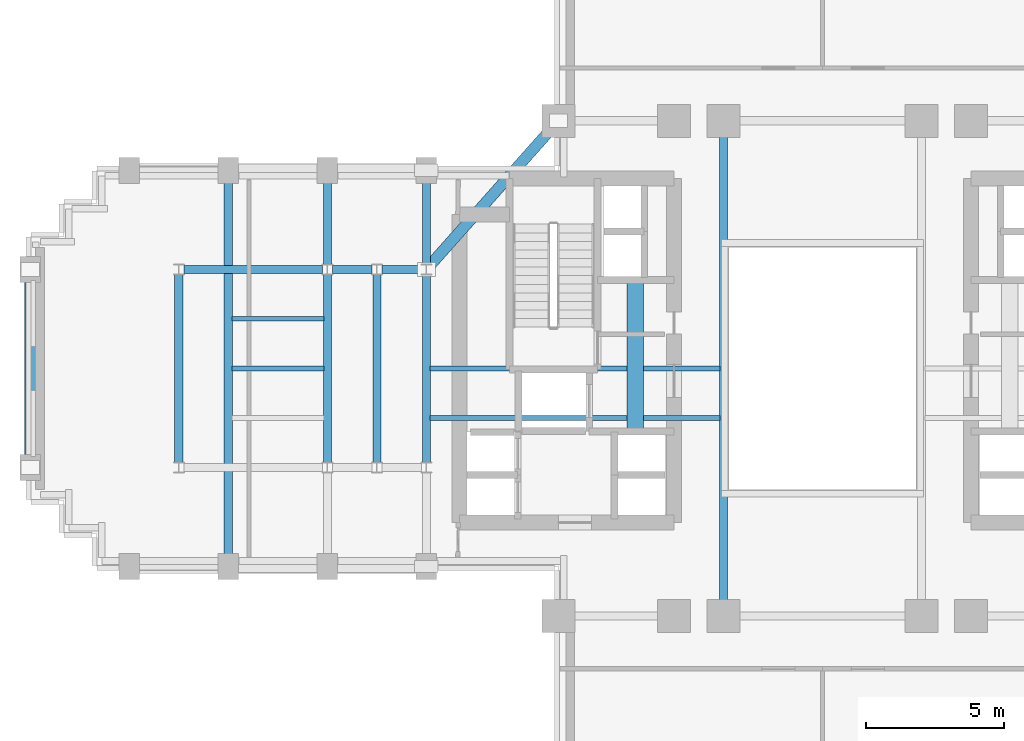
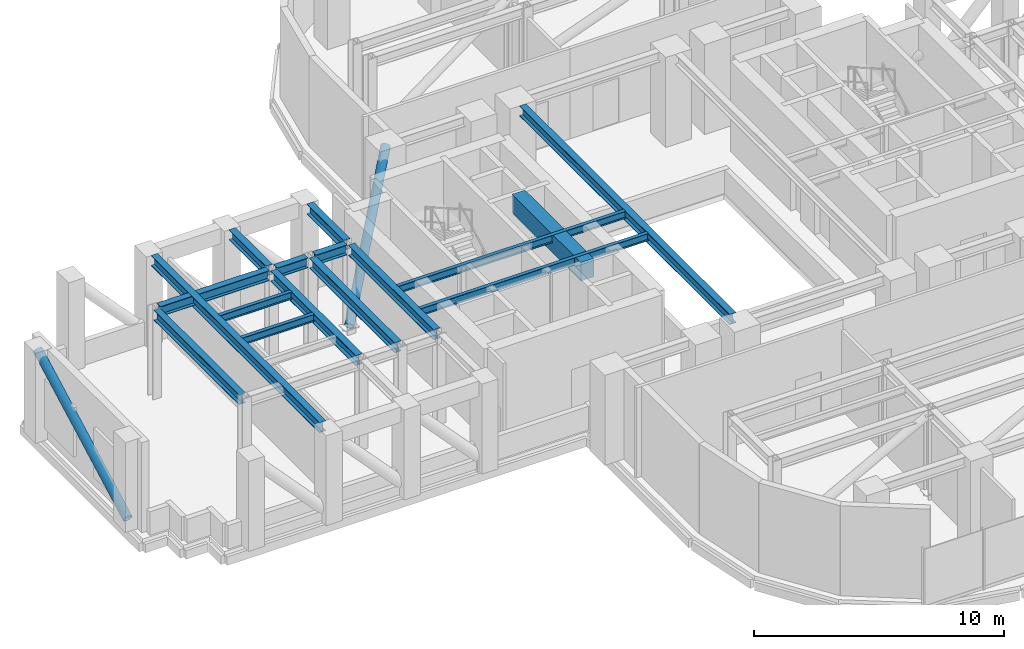
# One storey, part 4 of 15: 16 beams, 2 members.
"""IFC4 building model written with IfcOpenShell, lengths in metres."""

from ifc_helpers import new_model, si_unit, direction, frame, origin, origin_2d, place, context, subcontext, project, spatial, rectangle, hollow_circle, i_section, extrude, source, transform, mapped, material, material_profile, profile_set, type_object, element, save


model = new_model("IFC4")

# Units and contexts
model_context = context("Model", 3, precision=1e-05, world=origin(), true_north=direction((0.0, 1.0)))
body_context = subcontext(model_context, "Body", "Model", "MODEL_VIEW")
ifc_project = project(units=[si_unit("LENGTHUNIT", "METRE"), si_unit("AREAUNIT", "SQUARE_METRE"), si_unit("VOLUMEUNIT", "CUBIC_METRE"), si_unit("PLANEANGLEUNIT", "RADIAN"), si_unit("MASSUNIT", "GRAM", prefix="KILO")], contexts=[model_context])

# Site, building, storey
site_placement = place(None, origin())
site = spatial("IfcSite", under=ifc_project, at=site_placement, CompositionType="ELEMENT")
building_placement = place(site_placement, origin())
building = spatial("IfcBuilding", under=site, at=building_placement, Name="Keilestroom Media Tower", CompositionType="ELEMENT")
storey_placement = place(building_placement, frame((0.0, 0.0, 88.39990234375)))
storey = spatial("IfcBuildingStorey", under=building, at=storey_placement, Name="L23", CompositionType="ELEMENT", Elevation=88.39990234375)

# Beams
ifc_material_1 = material(Name="Concrete C70/85", Category="concrete")
ifc_material_profile_1 = material_profile(ifc_material_1, rectangle(XDim=0.60009765625, YDim=0.89990234375, at=origin_2d()), Name="RC 600x900")
ifc_profile_set_1 = profile_set([ifc_material_profile_1], Name="Concrete C70/85")
beam_type_1 = type_object("IfcBeamType", Name="Core-Coupling-Lintel-Beam-RC-600x900", PredefinedType="LINTEL", material=ifc_profile_set_1)
shared_shape_1 = source(origin(), body_context, "Body", "SweptSolid", [
    extrude(rectangle(XDim=0.60009765625, YDim=0.89990234375, at=origin_2d()), origin(), (0.0, 0.0, 1.0), 5.52001953125),
])
beam_1_placement = place(storey_placement, frame((-6.800048828125, -2.300048828125, 3.9501953125), z_axis=(0.0, 1.0, 0.0), x_axis=(-1.0, 0.0, 0.0)))
element("IfcBeam", 1, at=beam_1_placement, inside=storey, type_object=beam_type_1, Name="L23 Beam CLB-1 CLB-L23-W", PredefinedType="LINTEL", context=body_context, shape_type="MappedRepresentation", body=[
    mapped(shared_shape_1, transform((0.0, 0.0, 0.0), x_axis=(1.0, 0.0, 0.0), y_axis=(0.0, 1.0, 0.0), z_axis=(0.0, 0.0, 1.0), scale=1.0)),
])
ifc_material_2 = material(Name="Steel S355", Category="steel")
ifc_material_profile_2 = material_profile(ifc_material_2, i_section(OverallWidth=0.300048828125, OverallDepth=0.5, WebThickness=0.012451171875, FlangeThickness=0.028076171875, at=origin_2d()), Name="HEB 500")
ifc_profile_set_2 = profile_set([ifc_material_profile_2], Name="Steel S355")
beam_type_2 = type_object("IfcBeamType", Name="Primary-Structural-Girder-HEB-500", PredefinedType="BEAM", material=ifc_profile_set_2)
shared_shape_2 = source(origin(), body_context, "Body", "SweptSolid", [
    extrude(i_section(OverallWidth=0.300048828125, OverallDepth=0.5, WebThickness=0.012451171875, FlangeThickness=0.028076171875, at=origin_2d()), origin(), (0.0, 0.0, 1.0), 13.490234375),
])
beam_2_placement = place(storey_placement, frame((-21.60009765625, -6.7451171875, 4.150146484375), z_axis=(0.0, 1.0, 0.0), x_axis=(-1.0, 0.0, 0.0)))
element("IfcBeam", 2, at=beam_2_placement, inside=storey, type_object=beam_type_2, Name="L23 Beam BG-6 BM-L23-NS-044", PredefinedType="BEAM", context=body_context, shape_type="MappedRepresentation", body=[
    mapped(shared_shape_2, transform((0.0, 0.0, 0.0), x_axis=(1.0, 0.0, 0.0), y_axis=(0.0, 1.0, 0.0), z_axis=(0.0, 0.0, 1.0), scale=1.0)),
])
shared_shape_3 = source(origin(), body_context, "Body", "SweptSolid", [
    extrude(i_section(OverallWidth=0.300048828125, OverallDepth=0.5, WebThickness=0.012451171875, FlangeThickness=0.028076171875, at=origin_2d()), origin(), (0.0, 0.0, 1.0), 6.8330078125),
])
for number, where, z_axis, x_axis, name in (
    (3, (-23.39990234375, -3.41650390625, 4.130126953125), (0.0, 1.0, 0.0), (-1.0, 0.0, 0.0), "L23 Beam BG-6 BM-L23-NS-043"),
    (4, (-18.0, -3.41650390625, 4.150146484375), (0.0, 1.0, 0.0), (-1.0, 0.0, 0.0), "L23 Beam BG-6 BM-L23-NS-046"),
    (5, (-16.199951171875, -3.41650390625, 4.150146484375), (0.0, 1.0, 0.0), (-1.0, 0.0, 0.0), "L23 Beam BG-6 BM-L23-NS-048"),
    (6, (-14.39990234375, -3.41650390625, 4.150146484375), (0.0, 1.0, 0.0), (-1.0, 0.0, 0.0), "L23 Beam BG-6 BM-L23-NS-050"),
):
    element("IfcBeam", number, at=place(storey_placement, frame(where, z_axis=z_axis, x_axis=x_axis)), inside=storey, type_object=beam_type_2, Name=name, PredefinedType="BEAM", context=body_context, shape_type="MappedRepresentation", body=[
        mapped(shared_shape_3, transform((0.0, 0.0, 0.0), x_axis=(1.0, 0.0, 0.0), y_axis=(0.0, 1.0, 0.0), z_axis=(0.0, 0.0, 1.0), scale=1.0)),
    ])
shared_shape_4 = source(origin(), body_context, "Body", "SweptSolid", [
    extrude(i_section(OverallWidth=0.300048828125, OverallDepth=0.5, WebThickness=0.012451171875, FlangeThickness=0.028076171875, at=origin_2d()), origin(), (0.0, 0.0, 1.0), 2.961669921875),
])
for number, where, z_axis, x_axis, name in (
    (7, (-18.0, 3.783447265625, 4.150146484375), (0.0, 1.0, 0.0), (-1.0, 0.0, 0.0), "L23 Beam BG-6 BM-L23-NS-047"),
    (8, (-14.39990234375, 3.783447265625, 4.150146484375), (0.0, 1.0, 0.0), (-1.0, 0.0, 0.0), "L23 Beam BG-6 BM-L23-NS-051"),
):
    element("IfcBeam", number, at=place(storey_placement, frame(where, z_axis=z_axis, x_axis=x_axis)), inside=storey, type_object=beam_type_2, Name=name, PredefinedType="BEAM", context=body_context, shape_type="MappedRepresentation", body=[
        mapped(shared_shape_4, transform((0.0, 0.0, 0.0), x_axis=(1.0, 0.0, 0.0), y_axis=(0.0, 1.0, 0.0), z_axis=(0.0, 0.0, 1.0), scale=1.0)),
    ])
shared_shape_5 = source(origin(), body_context, "Body", "SweptSolid", [
    extrude(i_section(OverallWidth=0.300048828125, OverallDepth=0.5, WebThickness=0.012451171875, FlangeThickness=0.028076171875, at=origin_2d()), origin(), (0.0, 0.0, 1.0), 16.83984375),
])
beam_3_placement = place(storey_placement, frame((-3.60009765625, -8.419921875, 4.150146484375), z_axis=(0.0, 1.0, 0.0), x_axis=(-1.0, 0.0, 0.0)))
element("IfcBeam", 9, at=beam_3_placement, inside=storey, type_object=beam_type_2, Name="L23 Beam BG-6 BM-L23-NS-056", PredefinedType="BEAM", context=body_context, shape_type="MappedRepresentation", body=[
    mapped(shared_shape_5, transform((0.0, 0.0, 0.0), x_axis=(1.0, 0.0, 0.0), y_axis=(0.0, 1.0, 0.0), z_axis=(0.0, 0.0, 1.0), scale=1.0)),
])
ifc_material_profile_3 = material_profile(ifc_material_2, i_section(OverallWidth=0.300048828125, OverallDepth=0.489990234375, WebThickness=0.011962890625, FlangeThickness=0.02294921875, at=origin_2d()), Name="HEA 500")
ifc_profile_set_3 = profile_set([ifc_material_profile_3], Name="Steel S355")
beam_type_3 = type_object("IfcBeamType", Name="Primary-Structural-Girder-HEA-500", PredefinedType="BEAM", material=ifc_profile_set_3)
shared_shape_6 = source(origin(), body_context, "Body", "SweptSolid", [
    extrude(i_section(OverallWidth=0.300048828125, OverallDepth=0.489990234375, WebThickness=0.011962890625, FlangeThickness=0.02294921875, at=origin_2d()), origin(), (0.0, 0.0, 1.0), 5.0361328125),
])
beam_4_placement = place(storey_placement, frame((-23.218017578125, 3.60009765625, 4.155029296875), z_axis=(1.0, 0.0, 0.0), x_axis=(0.0, 1.0, 0.0)))
element("IfcBeam", 10, at=beam_4_placement, inside=storey, type_object=beam_type_3, Name="L23 Beam BG-10 BM-L23-EW-022", PredefinedType="BEAM", context=body_context, shape_type="MappedRepresentation", body=[
    mapped(shared_shape_6, transform((0.0, 0.0, 0.0), x_axis=(1.0, 0.0, 0.0), y_axis=(0.0, 1.0, 0.0), z_axis=(0.0, 0.0, 1.0), scale=1.0)),
])
shared_shape_7 = source(origin(), body_context, "Body", "SweptSolid", [
    extrude(i_section(OverallWidth=0.300048828125, OverallDepth=0.489990234375, WebThickness=0.011962890625, FlangeThickness=0.02294921875, at=origin_2d()), origin(), (0.0, 0.0, 1.0), 1.43603515625),
])
for number, where, z_axis, x_axis, name in (
    (11, (-17.818115234375, 3.60009765625, 4.155029296875), (1.0, 0.0, 0.0), (0.0, 1.0, 0.0), "L23 Beam BG-10 BM-L23-EW-023"),
    (12, (-16.01806640625, 3.60009765625, 4.155029296875), (1.0, 0.0, 0.0), (0.0, 1.0, 0.0), "L23 Beam BG-10 BM-L23-EW-024"),
):
    element("IfcBeam", number, at=place(storey_placement, frame(where, z_axis=z_axis, x_axis=x_axis)), inside=storey, type_object=beam_type_3, Name=name, PredefinedType="BEAM", context=body_context, shape_type="MappedRepresentation", body=[
        mapped(shared_shape_7, transform((0.0, 0.0, 0.0), x_axis=(1.0, 0.0, 0.0), y_axis=(0.0, 1.0, 0.0), z_axis=(0.0, 0.0, 1.0), scale=1.0)),
    ])
ifc_material_profile_4 = material_profile(ifc_material_2, i_section(OverallWidth=0.169921875, OverallDepth=0.360107421875, WebThickness=0.008056640625, FlangeThickness=0.0126953125, at=origin_2d()), Name="IPE 360")
ifc_profile_set_4 = profile_set([ifc_material_profile_4], Name="Steel S355")
beam_type_4 = type_object("IfcBeamType", Name="Secondary-Floor-Joist-IPE-360", PredefinedType="JOIST", material=ifc_profile_set_4)
shared_shape_8 = source(origin(), body_context, "Body", "SweptSolid", [
    extrude(i_section(OverallWidth=0.169921875, OverallDepth=0.360107421875, WebThickness=0.008056640625, FlangeThickness=0.0126953125, at=origin_2d()), origin(), (0.0, 0.0, 1.0), 3.340087890625),
])
for number, where, z_axis, x_axis, name in (
    (13, (-21.469970703125, 0.0, 4.22021484375), (1.0, 0.0, 0.0), (0.0, 1.0, 0.0), "L23 Beam BJ-5 JST-L23-082"),
    (14, (-21.469970703125, 1.800048828125, 4.22021484375), (1.0, 0.0, 0.0), (0.0, 1.0, 0.0), "L23 Beam BJ-5 JST-L23-087"),
):
    element("IfcBeam", number, at=place(storey_placement, frame(where, z_axis=z_axis, x_axis=x_axis)), inside=storey, type_object=beam_type_4, Name=name, PredefinedType="JOIST", context=body_context, shape_type="MappedRepresentation", body=[
        mapped(shared_shape_8, transform((0.0, 0.0, 0.0), x_axis=(1.0, 0.0, 0.0), y_axis=(0.0, 1.0, 0.0), z_axis=(0.0, 0.0, 1.0), scale=1.0)),
    ])
shared_shape_9 = source(origin(), body_context, "Body", "SweptSolid", [
    extrude(i_section(OverallWidth=0.169921875, OverallDepth=0.360107421875, WebThickness=0.008056640625, FlangeThickness=0.0126953125, at=origin_2d()), origin(), (0.0, 0.0, 1.0), 10.5400390625),
])
for number, where, z_axis, x_axis, name in (
    (15, (-14.27001953125, -1.800048828125, 4.22021484375), (1.0, 0.0, 0.0), (0.0, 1.0, 0.0), "L23 Beam BJ-5 JST-L23-078"),
    (16, (-14.27001953125, 0.0, 4.22021484375), (1.0, 0.0, 0.0), (0.0, 1.0, 0.0), "L23 Beam BJ-5 JST-L23-083"),
):
    element("IfcBeam", number, at=place(storey_placement, frame(where, z_axis=z_axis, x_axis=x_axis)), inside=storey, type_object=beam_type_4, Name=name, PredefinedType="JOIST", context=body_context, shape_type="MappedRepresentation", body=[
        mapped(shared_shape_9, transform((0.0, 0.0, 0.0), x_axis=(1.0, 0.0, 0.0), y_axis=(0.0, 1.0, 0.0), z_axis=(0.0, 0.0, 1.0), scale=1.0)),
    ])

# Members
ifc_material_3 = material(Name="Steel S460", Category="steel")
ifc_material_profile_5 = material_profile(ifc_material_3, hollow_circle(Radius=0.203125, WallThickness=0.01611328125, at=origin_2d()), Name="CHS 406.4x16")
ifc_profile_set_5 = profile_set([ifc_material_profile_5], Name="Steel S460")
member_type = type_object("IfcMemberType", Name="Outrigger-And-Belt-Brace-CHS-406x16", PredefinedType="BRACE", material=ifc_profile_set_5)
shared_shape_10 = source(origin(), body_context, "Body", "SweptSolid", [
    extrude(hollow_circle(Radius=0.203125, WallThickness=0.01611328125, at=origin_2d()), origin(), (0.0, 0.0, 1.0), 8.17431640625),
])
member_1_placement = place(storey_placement, frame((-28.800048828125, -3.60009765625, 0.280029296875), z_axis=(0.0, 0.880823774267, 0.473444271995), x_axis=(-1.0, 0.0, 0.0)))
element("IfcMember", 17, at=member_1_placement, inside=storey, type_object=member_type, Name="L23 Belt Truss Brace BW1", PredefinedType="BRACE", context=body_context, shape_type="MappedRepresentation", body=[
    mapped(shared_shape_10, transform((0.0, 0.0, 0.0), x_axis=(1.0, 0.0, 0.0), y_axis=(0.0, 1.0, 0.0), z_axis=(0.0, 0.0, 1.0), scale=1.0)),
])
shared_shape_11 = source(origin(), body_context, "Body", "SweptSolid", [
    extrude(hollow_circle(Radius=0.203125, WallThickness=0.01611328125, at=origin_2d()), origin(), (0.0, 0.0, 1.0), 8.196044921875),
])
member_2_placement = place(storey_placement, frame((-14.39990234375, 3.60009765625, 0.280029296875), z_axis=(0.585625695855, 0.658843801674, 0.472194228417), x_axis=(-0.747416776234, 0.66435544899, 0.0)))
element("IfcMember", 18, at=member_2_placement, inside=storey, type_object=member_type, Name="L23 Belt Truss Brace BWN", PredefinedType="BRACE", context=body_context, shape_type="MappedRepresentation", body=[
    mapped(shared_shape_11, transform((0.0, 0.0, 0.0), x_axis=(1.0, 0.0, 0.0), y_axis=(0.0, 1.0, 0.0), z_axis=(0.0, 0.0, 1.0), scale=1.0)),
])

save(model, "model.ifc")
